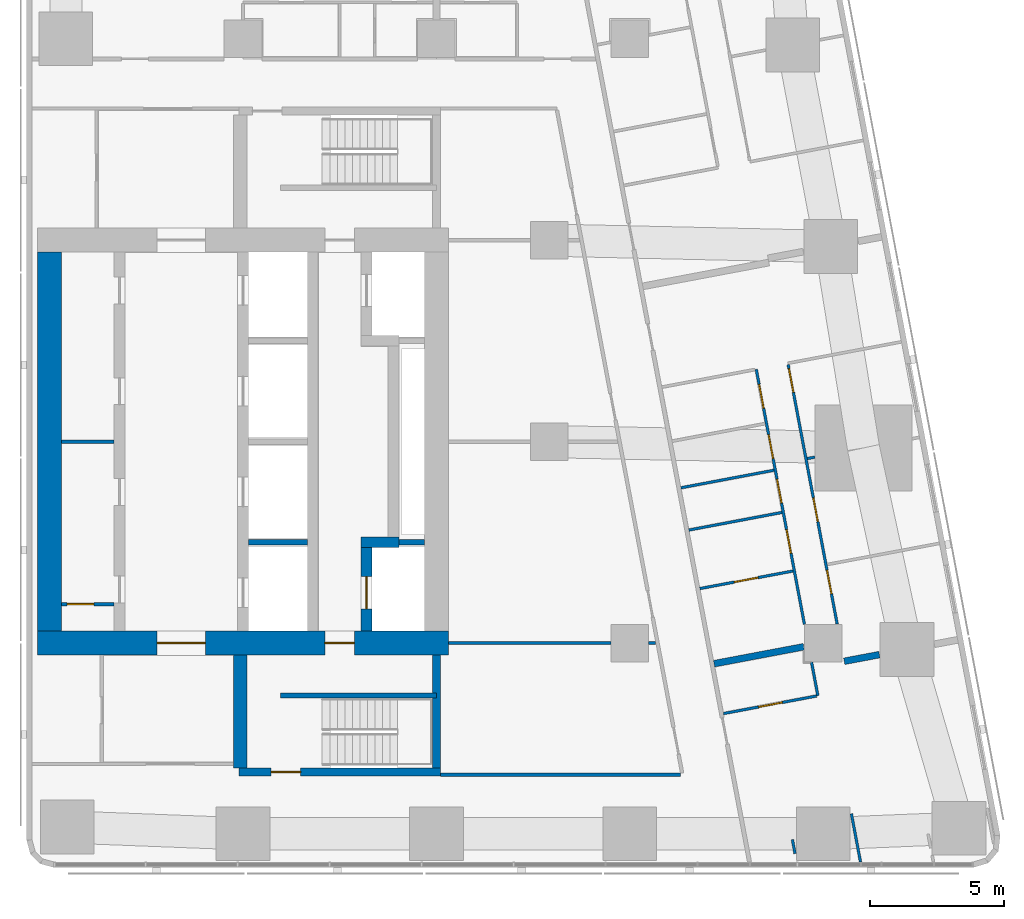
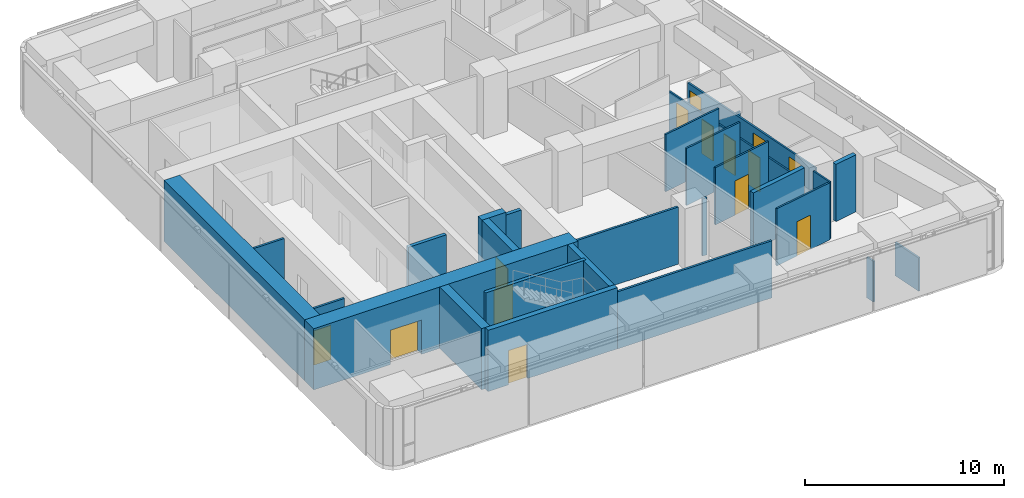
# One storey, part 5 of 11: 27 walls, 14 doors, 14 openings.
"""IFC4 building model written with IfcOpenShell, lengths in metres."""

from ifc_helpers import new_model, si_unit, direction, frame, frame_2d, origin, place, context, subcontext, project, spatial, rectangle, extrude, material, layer, layer_set, type_object, element, fill, save


model = new_model("IFC4")

# Units and contexts
model_context = context("Model", 3, precision=1e-05, world=origin(), true_north=direction((0.0, 1.0)))
body_context = subcontext(model_context, "Body", "Model", "MODEL_VIEW")
ifc_project = project(units=[si_unit("LENGTHUNIT", "METRE"), si_unit("AREAUNIT", "SQUARE_METRE"), si_unit("VOLUMEUNIT", "CUBIC_METRE"), si_unit("PLANEANGLEUNIT", "RADIAN"), si_unit("MASSUNIT", "GRAM", prefix="KILO")], contexts=[model_context])

# Site, building, storey
site_placement = place(None, origin())
site = spatial("IfcSite", under=ifc_project, at=site_placement, CompositionType="ELEMENT")
building_placement = place(site_placement, origin())
building = spatial("IfcBuilding", under=site, at=building_placement, Name="Sheger Commons Tower", CompositionType="ELEMENT")
storey_placement = place(building_placement, frame((0.0, 0.0, 277.85009765625)))
storey = spatial("IfcBuildingStorey", under=building, at=storey_placement, Name="L71", CompositionType="ELEMENT", Elevation=277.85009765625)

# Wall, opening, door
ifc_material_1 = material(Name="Concrete C50/60", Category="concrete")
ifc_layer_1 = layer(ifc_material_1, 0.39990234375)
ifc_layer_set_1 = layer_set([ifc_layer_1], Name="CORE INNER WALL 400")
wall_type_1 = type_object("IfcWallType", Name="CORE INNER WALL 400", PredefinedType="SHEAR", material=ifc_layer_set_1)
wall_1_placement = place(storey_placement, frame((26.199951171875, 15.449951171875, 0.0), z_axis=(0.0, 0.0, 1.0), x_axis=(0.0, 1.0, 0.0)))
wall_1 = element("IfcWall", 1, at=wall_1_placement, inside=storey, type_object=wall_type_1, Name="Core inner wall F L71", PredefinedType="SHEAR", context=body_context, shape_type="SweptSolid", body=[
    extrude(rectangle(XDim=3.10009765625, YDim=0.39990234375, at=frame_2d((1.550048828125, 0.0))), origin(), (0.0, 0.0, 1.0), 3.75),
])
opening_1_placement = place(wall_1_placement, frame((0.824951171875, 0.0, 0.0)))
opening_1 = element("IfcOpeningElement", 2, at=opening_1_placement, cuts=wall_1, Name="Opening LD2", PredefinedType="OPENING", context=body_context, shape_type="SweptSolid", body=[
    extrude(rectangle(XDim=1.199951171875, YDim=2.10009765625, at=frame_2d((0.60009765625, 1.050048828125))), frame((0.0, 0.2099609375, 0.0), z_axis=(0.0, -1.0, 0.0), x_axis=(1.0, 0.0, 0.0)), (0.0, 0.0, 1.0), 0.419921875),
])
ifc_material_2 = material(Name="Steel door set, fire rated", Category="steel")
door_type_1 = type_object("IfcDoorType", Name="FIREFIGHTING LIFT LANDING DOOR 1200x2100", OperationType="DOUBLE_DOOR_SLIDING", PredefinedType="DOOR", material=ifc_material_2)
door_1_placement = place(opening_1_placement, origin())
door_1 = element("IfcDoor", 3, at=door_1_placement, inside=storey, type_object=door_type_1, Name="Lift FL1 landing door", OperationType="DOUBLE_DOOR_SLIDING", OverallHeight=2.10009765625, OverallWidth=1.199951171875, PredefinedType="DOOR", context=body_context, shape_type="SweptSolid", body=[
    extrude(rectangle(XDim=1.199951171875, YDim=2.10009765625, at=frame_2d((0.60009765625, 1.050048828125))), frame((0.0, 0.02490234375, 0.0), z_axis=(0.0, -1.0, 0.0), x_axis=(1.0, 0.0, 0.0)), (0.0, 0.0, 1.0), 0.050048828125),
])
fill(opening_1, door_1)

# Wall
wall_2_placement = place(storey_placement, frame((26.0, 18.75, 0.0), z_axis=(0.0, 0.0, 1.0), x_axis=(1.0, 0.0, 0.0)))
element("IfcWall", 4, at=wall_2_placement, inside=storey, type_object=wall_type_1, Name="Core inner wall F south return L71", PredefinedType="SHEAR", context=body_context, shape_type="SweptSolid", body=[
    extrude(rectangle(XDim=1.39990234375, YDim=0.39990234375, at=frame_2d((0.699951171875, 0.0))), origin(), (0.0, 0.0, 1.0), 3.75),
])

# Wall, openings, doors
ifc_material_3 = material(Name="Concrete C50/60", Category="concrete")
ifc_layer_2 = layer(ifc_material_3, 0.89990234375)
ifc_layer_set_2 = layer_set([ifc_layer_2], Name="CORE WALL 900")
wall_type_2 = type_object("IfcWallType", Name="CORE WALL 900", PredefinedType="SHEAR", material=ifc_layer_set_2)
wall_3_placement = place(storey_placement, frame((13.949951171875, 15.0, 0.0), z_axis=(0.0, 0.0, 1.0), x_axis=(1.0, 0.0, 0.0)))
wall_3 = element("IfcWall", 5, at=wall_3_placement, inside=storey, type_object=wall_type_2, Name="Core wall south L71", PredefinedType="SHEAR", context=body_context, shape_type="SweptSolid", body=[
    extrude(rectangle(XDim=15.300048828125, YDim=0.89990234375, at=frame_2d((7.64990234375, 0.0))), origin(), (0.0, 0.0, 1.0), 3.75),
])
opening_2_placement = place(wall_3_placement, frame((4.449951171875, 0.0, 0.0)))
opening_2 = element("IfcOpeningElement", 6, at=opening_2_placement, cuts=wall_3, Name="Opening D6", PredefinedType="OPENING", context=body_context, shape_type="SweptSolid", body=[
    extrude(rectangle(XDim=1.800048828125, YDim=2.10009765625, at=frame_2d((0.89990234375, 1.050048828125))), frame((0.0, 0.4599609375, 0.0), z_axis=(0.0, -1.0, 0.0), x_axis=(1.0, 0.0, 0.0)), (0.0, 0.0, 1.0), 0.919921875),
])
opening_3_placement = place(wall_3_placement, frame((10.699951171875, 0.0, 0.0)))
opening_3 = element("IfcOpeningElement", 7, at=opening_3_placement, cuts=wall_3, Name="Opening D5", PredefinedType="OPENING", context=body_context, shape_type="SweptSolid", body=[
    extrude(rectangle(XDim=1.10009765625, YDim=2.10009765625, at=frame_2d((0.550048828125, 1.050048828125))), frame((0.0, 0.4599609375, 0.0), z_axis=(0.0, -1.0, 0.0), x_axis=(1.0, 0.0, 0.0)), (0.0, 0.0, 1.0), 0.919921875),
])
ifc_material_4 = material(Name="Steel door set, fire rated", Category="steel")
door_type_2 = type_object("IfcDoorType", Name="LOBBY DOUBLE DOOR 1800x2100", OperationType="DOUBLE_DOOR_SINGLE_SWING", PredefinedType="DOOR", material=ifc_material_4)
door_2_placement = place(opening_2_placement, origin())
door_2 = element("IfcDoor", 8, at=door_2_placement, inside=storey, type_object=door_type_2, Name="Lift lobby door", OperationType="DOUBLE_DOOR_SINGLE_SWING", OverallHeight=2.10009765625, OverallWidth=1.800048828125, PredefinedType="DOOR", context=body_context, shape_type="SweptSolid", body=[
    extrude(rectangle(XDim=1.800048828125, YDim=2.10009765625, at=frame_2d((0.89990234375, 1.050048828125))), frame((0.0, 0.02490234375, 0.0), z_axis=(0.0, -1.0, 0.0), x_axis=(1.0, 0.0, 0.0)), (0.0, 0.0, 1.0), 0.050048828125),
])
fill(opening_2, door_2)
ifc_material_5 = material(Name="Steel door set, fire rated", Category="steel")
door_type_3 = type_object("IfcDoorType", Name="STAIR DOOR 1100x2100", OperationType="NOTDEFINED", PredefinedType="DOOR", material=ifc_material_5)
door_3_placement = place(opening_3_placement, origin())
door_3 = element("IfcDoor", 9, at=door_3_placement, inside=storey, type_object=door_type_3, Name="Fire-fighting lobby door", OperationType="SINGLE_SWING_RIGHT", OverallHeight=2.10009765625, OverallWidth=1.10009765625, PredefinedType="DOOR", context=body_context, shape_type="SweptSolid", body=[
    extrude(rectangle(XDim=1.10009765625, YDim=2.10009765625, at=frame_2d((0.550048828125, 1.050048828125))), frame((0.0, 0.02490234375, 0.0), z_axis=(0.0, -1.0, 0.0), x_axis=(1.0, 0.0, 0.0)), (0.0, 0.0, 1.0), 0.050048828125),
])
fill(opening_3, door_3)

# Walls
wall_4_placement = place(storey_placement, frame((14.39990234375, 15.449951171875, 0.0), z_axis=(0.0, 0.0, 1.0), x_axis=(0.0, 1.0, 0.0)))
element("IfcWall", 10, at=wall_4_placement, inside=storey, type_object=wall_type_2, Name="Core wall west L71", PredefinedType="SHEAR", context=body_context, shape_type="SweptSolid", body=[
    extrude(rectangle(XDim=14.10009765625, YDim=0.89990234375, at=frame_2d((7.050048828125, 0.0))), origin(), (0.0, 0.0, 1.0), 3.75),
])
ifc_material_6 = material(Name="Dense concrete block masonry, plastered both sides (separating wall between flats)", Category="masonry")
ifc_layer_3 = layer(ifc_material_6, 0.25)
ifc_layer_set_3 = layer_set([ifc_layer_3], Name="DEMISING WALL 250")
wall_type_3 = type_object("IfcWallType", Name="DEMISING WALL 250", PredefinedType="SOLIDWALL", material=ifc_layer_set_3)
wall_5_placement = place(storey_placement, frame((45.2900390625, 14.569091796875, 0.0), z_axis=(0.0, 0.0, 1.0), x_axis=(-0.982676759201, -0.185327782391, 0.0)))
element("IfcWall", 11, at=wall_5_placement, inside=storey, type_object=wall_type_3, Name="Demising wall L71", PredefinedType="SOLIDWALL", context=body_context, shape_type="SweptSolid", body=[
    extrude(rectangle(XDim=1.333251953125, YDim=0.25, at=frame_2d((0.66650390625, 0.0))), origin(), (0.0, 0.0, 1.0), 3.5),
])
wall_6_placement = place(storey_placement, frame((42.47607421875, 14.863037109375, 0.0), z_axis=(0.0, 0.0, 1.0), x_axis=(-0.982603567712, -0.185715450942, 0.0)))
element("IfcWall", 12, at=wall_6_placement, inside=storey, type_object=wall_type_3, Name="Demising wall L71", PredefinedType="SOLIDWALL", context=body_context, shape_type="SweptSolid", body=[
    extrude(rectangle(XDim=3.398193359375, YDim=0.25, at=frame_2d((1.69921875, 0.0))), origin(), (0.0, 0.0, 1.0), 3.5),
])
ifc_material_7 = material(Name="Gypsum board on steel studs", Category="steel")
ifc_layer_4 = layer(ifc_material_7, 0.10009765625)
ifc_layer_set_4 = layer_set([ifc_layer_4], Name="PARTITION 100")
wall_type_4 = type_object("IfcWallType", Name="PARTITION 100", PredefinedType="PARTITIONING", material=ifc_layer_set_4)
wall_7_placement = place(storey_placement, frame((44.248046875, 8.64599609375, 0.0), z_axis=(0.0, 0.0, 1.0), x_axis=(0.185417594585, -0.982659816833, 0.0)))
element("IfcWall", 13, at=wall_7_placement, inside=storey, type_object=wall_type_4, Name="Partition L71", PredefinedType="PARTITIONING", context=body_context, shape_type="SweptSolid", body=[
    extrude(rectangle(XDim=1.82763671875, YDim=0.10009765625, at=frame_2d((0.913818359375, 0.0))), origin(), (0.0, 0.0, 1.0), 2.0498046875),
])
wall_8_placement = place(storey_placement, frame((42.15087890625, 7.159912109375, 0.0), z_axis=(0.0, 0.0, 1.0), x_axis=(-0.185366164644, 0.982669519729, 0.0)))
element("IfcWall", 14, at=wall_8_placement, inside=storey, type_object=wall_type_4, Name="Partition L71", PredefinedType="PARTITIONING", context=body_context, shape_type="SweptSolid", body=[
    extrude(rectangle(XDim=0.533447265625, YDim=0.10009765625, at=frame_2d((0.2666015625, 0.0))), origin(), (0.0, 0.0, 1.0), 2.5),
])

# Wall, openings, doors
wall_9_placement = place(storey_placement, frame((41.89404296875, 25.365966796875, 0.0), z_axis=(0.0, 0.0, 1.0), x_axis=(0.185612905165, -0.982622943675, 0.0)))
wall_9 = element("IfcWall", 15, at=wall_9_placement, inside=storey, type_object=wall_type_4, Name="Partition L71", PredefinedType="PARTITIONING", context=body_context, shape_type="SweptSolid", body=[
    extrude(rectangle(XDim=9.82666015625, YDim=0.10009765625, at=frame_2d((4.913330078125, 0.0))), origin(), (0.0, 0.0, 1.0), 2.5),
])
opening_4_placement = place(wall_9_placement, frame((0.15087890625, 0.0, 0.0)))
opening_4 = element("IfcOpeningElement", 16, at=opening_4_placement, cuts=wall_9, Name="Opening D2", PredefinedType="OPENING", context=body_context, shape_type="SweptSolid", body=[
    extrude(rectangle(XDim=0.89990234375, YDim=2.10009765625, at=frame_2d((0.449951171875, 1.050048828125))), frame((0.0, 0.06005859375, 0.0), z_axis=(0.0, -1.0, 0.0), x_axis=(1.0, 0.0, 0.0)), (0.0, 0.0, 1.0), 0.1201171875),
])
opening_5_placement = place(wall_9_placement, frame((5.050048828125, 0.0, 0.0)))
opening_5 = element("IfcOpeningElement", 17, at=opening_5_placement, cuts=wall_9, Name="Opening D2", PredefinedType="OPENING", context=body_context, shape_type="SweptSolid", body=[
    extrude(rectangle(XDim=0.89990234375, YDim=2.10009765625, at=frame_2d((0.449951171875, 1.050048828125))), frame((0.0, 0.06005859375, 0.0), z_axis=(0.0, -1.0, 0.0), x_axis=(1.0, 0.0, 0.0)), (0.0, 0.0, 1.0), 0.1201171875),
])
opening_6_placement = place(wall_9_placement, frame((7.782958984375, 0.0, 0.0)))
opening_6 = element("IfcOpeningElement", 18, at=opening_6_placement, cuts=wall_9, Name="Opening D2", PredefinedType="OPENING", context=body_context, shape_type="SweptSolid", body=[
    extrude(rectangle(XDim=0.89990234375, YDim=2.10009765625, at=frame_2d((0.449951171875, 1.050048828125))), frame((0.0, 0.06005859375, 0.0), z_axis=(0.0, -1.0, 0.0), x_axis=(1.0, 0.0, 0.0)), (0.0, 0.0, 1.0), 0.1201171875),
])
ifc_material_8 = material(Name="Timber door set", Category="wood")
door_type_4 = type_object("IfcDoorType", Name="INTERNAL DOOR 900x2100", OperationType="NOTDEFINED", PredefinedType="DOOR", material=ifc_material_8)
door_4_placement = place(opening_4_placement, origin())
door_4 = element("IfcDoor", 19, at=door_4_placement, inside=storey, type_object=door_type_4, Name="Main bedroom door", OperationType="SINGLE_SWING_LEFT", OverallHeight=2.10009765625, OverallWidth=0.89990234375, PredefinedType="DOOR", context=body_context, shape_type="SweptSolid", body=[
    extrude(rectangle(XDim=0.89990234375, YDim=2.10009765625, at=frame_2d((0.449951171875, 1.050048828125))), frame((0.0, 0.02490234375, 0.0), z_axis=(0.0, -1.0, 0.0), x_axis=(1.0, 0.0, 0.0)), (0.0, 0.0, 1.0), 0.050048828125),
])
fill(opening_4, door_4)
door_5_placement = place(opening_5_placement, origin())
door_5 = element("IfcDoor", 20, at=door_5_placement, inside=storey, type_object=door_type_4, Name="Bedroom 2 door", OperationType="SINGLE_SWING_LEFT", OverallHeight=2.10009765625, OverallWidth=0.89990234375, PredefinedType="DOOR", context=body_context, shape_type="SweptSolid", body=[
    extrude(rectangle(XDim=0.89990234375, YDim=2.10009765625, at=frame_2d((0.449951171875, 1.050048828125))), frame((0.0, 0.02490234375, 0.0), z_axis=(0.0, -1.0, 0.0), x_axis=(1.0, 0.0, 0.0)), (0.0, 0.0, 1.0), 0.050048828125),
])
fill(opening_5, door_5)
door_6_placement = place(opening_6_placement, origin())
door_6 = element("IfcDoor", 21, at=door_6_placement, inside=storey, type_object=door_type_4, Name="Bedroom 3 door", OperationType="SINGLE_SWING_LEFT", OverallHeight=2.10009765625, OverallWidth=0.89990234375, PredefinedType="DOOR", context=body_context, shape_type="SweptSolid", body=[
    extrude(rectangle(XDim=0.89990234375, YDim=2.10009765625, at=frame_2d((0.449951171875, 1.050048828125))), frame((0.0, 0.02490234375, 0.0), z_axis=(0.0, -1.0, 0.0), x_axis=(1.0, 0.0, 0.0)), (0.0, 0.0, 1.0), 0.050048828125),
])
fill(opening_6, door_6)

wall_10_placement = place(storey_placement, frame((40.7060546875, 25.19189453125, 0.0), z_axis=(0.0, 0.0, 1.0), x_axis=(0.185629824463, -0.982619747547, 0.0)))
wall_10 = element("IfcWall", 22, at=wall_10_placement, inside=storey, type_object=wall_type_4, Name="Partition L71", PredefinedType="PARTITIONING", context=body_context, shape_type="SweptSolid", body=[
    extrude(rectangle(XDim=9.658935546875, YDim=0.10009765625, at=frame_2d((4.82958984375, 0.0))), origin(), (0.0, 0.0, 1.0), 2.5),
])
opening_7_placement = place(wall_10_placement, frame((0.574951171875, 0.0, 0.0)))
opening_7 = element("IfcOpeningElement", 23, at=opening_7_placement, cuts=wall_10, Name="Opening D2", PredefinedType="OPENING", context=body_context, shape_type="SweptSolid", body=[
    extrude(rectangle(XDim=0.89990234375, YDim=2.10009765625, at=frame_2d((0.449951171875, 1.050048828125))), frame((0.0, 0.06005859375, 0.0), z_axis=(0.0, -1.0, 0.0), x_axis=(1.0, 0.0, 0.0)), (0.0, 0.0, 1.0), 0.1201171875),
])
opening_8_placement = place(wall_10_placement, frame((4.166015625, 0.0, 0.0)))
opening_8 = element("IfcOpeningElement", 24, at=opening_8_placement, cuts=wall_10, Name="Opening D2", PredefinedType="OPENING", context=body_context, shape_type="SweptSolid", body=[
    extrude(rectangle(XDim=0.89990234375, YDim=2.10009765625, at=frame_2d((0.449951171875, 1.050048828125))), frame((0.0, 0.06005859375, 0.0), z_axis=(0.0, -1.0, 0.0), x_axis=(1.0, 0.0, 0.0)), (0.0, 0.0, 1.0), 0.1201171875),
])
opening_9_placement = place(wall_10_placement, frame((2.48291015625, 0.0, 0.0)))
opening_9 = element("IfcOpeningElement", 25, at=opening_9_placement, cuts=wall_10, Name="Opening D2", PredefinedType="OPENING", context=body_context, shape_type="SweptSolid", body=[
    extrude(rectangle(XDim=0.89990234375, YDim=2.10009765625, at=frame_2d((0.449951171875, 1.050048828125))), frame((0.0, 0.06005859375, 0.0), z_axis=(0.0, -1.0, 0.0), x_axis=(1.0, 0.0, 0.0)), (0.0, 0.0, 1.0), 0.1201171875),
])
opening_10_placement = place(wall_10_placement, frame((6.073974609375, 0.0, 0.0)))
opening_10 = element("IfcOpeningElement", 26, at=opening_10_placement, cuts=wall_10, Name="Opening D2", PredefinedType="OPENING", context=body_context, shape_type="SweptSolid", body=[
    extrude(rectangle(XDim=0.89990234375, YDim=2.10009765625, at=frame_2d((0.449951171875, 1.050048828125))), frame((0.0, 0.06005859375, 0.0), z_axis=(0.0, -1.0, 0.0), x_axis=(1.0, 0.0, 0.0)), (0.0, 0.0, 1.0), 0.1201171875),
])
door_7_placement = place(opening_7_placement, origin())
door_7 = element("IfcDoor", 27, at=door_7_placement, inside=storey, type_object=door_type_4, Name="Bathroom door", OperationType="SINGLE_SWING_RIGHT", OverallHeight=2.10009765625, OverallWidth=0.89990234375, PredefinedType="DOOR", context=body_context, shape_type="SweptSolid", body=[
    extrude(rectangle(XDim=0.89990234375, YDim=2.10009765625, at=frame_2d((0.449951171875, 1.050048828125))), frame((0.0, 0.02490234375, 0.0), z_axis=(0.0, -1.0, 0.0), x_axis=(1.0, 0.0, 0.0)), (0.0, 0.0, 1.0), 0.050048828125),
])
fill(opening_7, door_7)
door_8_placement = place(opening_8_placement, origin())
door_8 = element("IfcDoor", 28, at=door_8_placement, inside=storey, type_object=door_type_4, Name="Shower room door", OperationType="SINGLE_SWING_RIGHT", OverallHeight=2.10009765625, OverallWidth=0.89990234375, PredefinedType="DOOR", context=body_context, shape_type="SweptSolid", body=[
    extrude(rectangle(XDim=0.89990234375, YDim=2.10009765625, at=frame_2d((0.449951171875, 1.050048828125))), frame((0.0, 0.02490234375, 0.0), z_axis=(0.0, -1.0, 0.0), x_axis=(1.0, 0.0, 0.0)), (0.0, 0.0, 1.0), 0.050048828125),
])
fill(opening_8, door_8)
door_9_placement = place(opening_9_placement, origin())
door_9 = element("IfcDoor", 29, at=door_9_placement, inside=storey, type_object=door_type_4, Name="Store door", OperationType="SINGLE_SWING_RIGHT", OverallHeight=2.10009765625, OverallWidth=0.89990234375, PredefinedType="DOOR", context=body_context, shape_type="SweptSolid", body=[
    extrude(rectangle(XDim=0.89990234375, YDim=2.10009765625, at=frame_2d((0.449951171875, 1.050048828125))), frame((0.0, 0.02490234375, 0.0), z_axis=(0.0, -1.0, 0.0), x_axis=(1.0, 0.0, 0.0)), (0.0, 0.0, 1.0), 0.050048828125),
])
fill(opening_9, door_9)
door_10_placement = place(opening_10_placement, origin())
door_10 = element("IfcDoor", 30, at=door_10_placement, inside=storey, type_object=door_type_4, Name="Store door", OperationType="SINGLE_SWING_LEFT", OverallHeight=2.10009765625, OverallWidth=0.89990234375, PredefinedType="DOOR", context=body_context, shape_type="SweptSolid", body=[
    extrude(rectangle(XDim=0.89990234375, YDim=2.10009765625, at=frame_2d((0.449951171875, 1.050048828125))), frame((0.0, 0.02490234375, 0.0), z_axis=(0.0, -1.0, 0.0), x_axis=(1.0, 0.0, 0.0)), (0.0, 0.0, 1.0), 0.050048828125),
])
fill(opening_10, door_10)

# Walls
wall_11_placement = place(storey_placement, frame((42.886962890625, 21.9208984375, 0.0), z_axis=(0.0, 0.0, 1.0), x_axis=(-0.982688058078, -0.185267861514, 0.0)))
element("IfcWall", 31, at=wall_11_placement, inside=storey, type_object=wall_type_4, Name="Partition L71", PredefinedType="PARTITIONING", context=body_context, shape_type="SweptSolid", body=[
    extrude(rectangle(XDim=0.285888671875, YDim=0.10009765625, at=frame_2d((0.14306640625, 0.0))), origin(), (0.0, 0.0, 1.0), 2.5),
])
wall_12_placement = place(storey_placement, frame((41.364990234375, 21.43310546875, 0.0), z_axis=(0.0, 0.0, 1.0), x_axis=(-0.982638553676, -0.185530247748, 0.0)))
element("IfcWall", 32, at=wall_12_placement, inside=storey, type_object=wall_type_4, Name="Partition L71", PredefinedType="PARTITIONING", context=body_context, shape_type="SweptSolid", body=[
    extrude(rectangle(XDim=3.525390625, YDim=0.10009765625, at=frame_2d((1.7626953125, 0.0))), origin(), (0.0, 0.0, 1.0), 3.5),
])

# Wall, opening, door
wall_13_placement = place(storey_placement, frame((42.072998046875, 17.681884765625, 0.0), z_axis=(0.0, 0.0, 1.0), x_axis=(-0.98265117712, -0.185463376723, 0.0)))
wall_13 = element("IfcWall", 33, at=wall_13_placement, inside=storey, type_object=wall_type_4, Name="Partition L71", PredefinedType="PARTITIONING", context=body_context, shape_type="SweptSolid", body=[
    extrude(rectangle(XDim=3.525390625, YDim=0.10009765625, at=frame_2d((1.7626953125, 0.0))), origin(), (0.0, 0.0, 1.0), 3.5),
])
opening_11_placement = place(wall_13_placement, frame((1.324951171875, 0.0, 0.0)))
opening_11 = element("IfcOpeningElement", 34, at=opening_11_placement, cuts=wall_13, Name="Opening D2", PredefinedType="OPENING", context=body_context, shape_type="SweptSolid", body=[
    extrude(rectangle(XDim=0.89990234375, YDim=2.10009765625, at=frame_2d((0.449951171875, 1.050048828125))), frame((0.0, 0.06005859375, 0.0), z_axis=(0.0, -1.0, 0.0), x_axis=(1.0, 0.0, 0.0)), (0.0, 0.0, 1.0), 0.1201171875),
])
door_11_placement = place(opening_11_placement, origin())
door_11 = element("IfcDoor", 35, at=door_11_placement, inside=storey, type_object=door_type_4, Name="Store door", OperationType="SINGLE_SWING_RIGHT", OverallHeight=2.10009765625, OverallWidth=0.89990234375, PredefinedType="DOOR", context=body_context, shape_type="SweptSolid", body=[
    extrude(rectangle(XDim=0.89990234375, YDim=2.10009765625, at=frame_2d((0.449951171875, 1.050048828125))), frame((0.0, 0.02490234375, 0.0), z_axis=(0.0, -1.0, 0.0), x_axis=(1.0, 0.0, 0.0)), (0.0, 0.0, 1.0), 0.050048828125),
])
fill(opening_11, door_11)

# Walls
wall_14_placement = place(storey_placement, frame((41.662109375, 19.861083984375, 0.0), z_axis=(0.0, 0.0, 1.0), x_axis=(-0.982588017646, -0.185797706064, 0.0)))
element("IfcWall", 36, at=wall_14_placement, inside=storey, type_object=wall_type_4, Name="Partition L71", PredefinedType="PARTITIONING", context=body_context, shape_type="SweptSolid", body=[
    extrude(rectangle(XDim=3.525390625, YDim=0.10009765625, at=frame_2d((1.7626953125, 0.0))), origin(), (0.0, 0.0, 1.0), 3.5),
])
wall_15_placement = place(storey_placement, frame((42.764892578125, 14.2900390625, 0.0), z_axis=(0.0, 0.0, 1.0), x_axis=(0.185446293138, -0.982654401283, 0.0)))
element("IfcWall", 37, at=wall_15_placement, inside=storey, type_object=wall_type_4, Name="Partition L71", PredefinedType="PARTITIONING", context=body_context, shape_type="SweptSolid", body=[
    extrude(rectangle(XDim=1.27294921875, YDim=0.10009765625, at=frame_2d((0.636474609375, 0.0))), origin(), (0.0, 0.0, 1.0), 3.5),
])

# Wall, opening, door
wall_16_placement = place(storey_placement, frame((42.951904296875, 13.030029296875, 0.0), z_axis=(0.0, 0.0, 1.0), x_axis=(-0.982585626838, -0.185810349366, 0.0)))
wall_16 = element("IfcWall", 38, at=wall_16_placement, inside=storey, type_object=wall_type_4, Name="Partition L71", PredefinedType="PARTITIONING", context=body_context, shape_type="SweptSolid", body=[
    extrude(rectangle(XDim=3.525146484375, YDim=0.10009765625, at=frame_2d((1.7626953125, 0.0))), origin(), (0.0, 0.0, 1.0), 3.5),
])
opening_12_placement = place(wall_16_placement, frame((1.299072265625, 0.0, 0.0)))
opening_12 = element("IfcOpeningElement", 39, at=opening_12_placement, cuts=wall_16, Name="Opening D2", PredefinedType="OPENING", context=body_context, shape_type="SweptSolid", body=[
    extrude(rectangle(XDim=0.89990234375, YDim=2.10009765625, at=frame_2d((0.449951171875, 1.050048828125))), frame((0.0, 0.06005859375, 0.0), z_axis=(0.0, -1.0, 0.0), x_axis=(1.0, 0.0, 0.0)), (0.0, 0.0, 1.0), 0.1201171875),
])
door_12_placement = place(opening_12_placement, origin())
door_12 = element("IfcDoor", 40, at=door_12_placement, inside=storey, type_object=door_type_4, Name="Shower room door", OperationType="SINGLE_SWING_RIGHT", OverallHeight=2.10009765625, OverallWidth=0.89990234375, PredefinedType="DOOR", context=body_context, shape_type="SweptSolid", body=[
    extrude(rectangle(XDim=0.89990234375, YDim=2.10009765625, at=frame_2d((0.449951171875, 1.050048828125))), frame((0.0, 0.02490234375, 0.0), z_axis=(0.0, -1.0, 0.0), x_axis=(1.0, 0.0, 0.0)), (0.0, 0.0, 1.0), 0.050048828125),
])
fill(opening_12, door_12)

# Walls
ifc_material_9 = material(Name="Gypsum board on steel studs, two layers each side, fire rated", Category="steel")
ifc_layer_5 = layer(ifc_material_9, 0.125)
ifc_layer_set_5 = layer_set([ifc_layer_5], Name="SERVICE WALL 125")
wall_type_5 = type_object("IfcWallType", Name="SERVICE WALL 125", PredefinedType="PARTITIONING", material=ifc_layer_set_5)
wall_17_placement = place(storey_placement, frame((28.949951171875, 10.10009765625, 0.0), z_axis=(0.0, 0.0, 1.0), x_axis=(1.0, 0.0, 0.0)))
element("IfcWall", 41, at=wall_17_placement, inside=storey, type_object=wall_type_5, Name="Service room wall L71", PredefinedType="PARTITIONING", context=body_context, shape_type="SweptSolid", body=[
    extrude(rectangle(XDim=8.93310546875, YDim=0.125, at=frame_2d((4.466552734375, 0.0))), origin(), (0.0, 0.0, 1.0), 3.5),
])
wall_18_placement = place(storey_placement, frame((29.25, 15.0, 0.0), z_axis=(0.0, 0.0, 1.0), x_axis=(1.0, 0.0, 0.0)))
element("IfcWall", 42, at=wall_18_placement, inside=storey, type_object=wall_type_5, Name="Service room wall L71", PredefinedType="PARTITIONING", context=body_context, shape_type="SweptSolid", body=[
    extrude(rectangle(XDim=6.049072265625, YDim=0.125, at=frame_2d((3.0244140625, 0.0))), origin(), (0.0, 0.0, 1.0), 3.5),
])
wall_19_placement = place(storey_placement, frame((36.700927734375, 15.0, 0.0), z_axis=(0.0, 0.0, 1.0), x_axis=(1.0, 0.0, 0.0)))
element("IfcWall", 43, at=wall_19_placement, inside=storey, type_object=wall_type_5, Name="Service room wall L71", PredefinedType="PARTITIONING", context=body_context, shape_type="SweptSolid", body=[
    extrude(rectangle(XDim=0.257080078125, YDim=0.125, at=frame_2d((0.12841796875, 0.0))), origin(), (0.0, 0.0, 1.0), 3.5),
])

# Wall, opening, door
wall_20_placement = place(storey_placement, frame((14.85009765625, 16.449951171875, 0.0), z_axis=(0.0, 0.0, 1.0), x_axis=(1.0, 0.0, 0.0)))
wall_20 = element("IfcWall", 44, at=wall_20_placement, inside=storey, type_object=wall_type_5, Name="Service room wall L71", PredefinedType="PARTITIONING", context=body_context, shape_type="SweptSolid", body=[
    extrude(rectangle(XDim=1.949951171875, YDim=0.125, at=frame_2d((0.97509765625, 0.0))), origin(), (0.0, 0.0, 1.0), 3.5),
])
opening_13_placement = place(wall_20_placement, frame((0.199951171875, 0.0, 0.0)))
opening_13 = element("IfcOpeningElement", 45, at=opening_13_placement, cuts=wall_20, Name="Opening D4", PredefinedType="OPENING", context=body_context, shape_type="SweptSolid", body=[
    extrude(rectangle(XDim=1.0, YDim=2.10009765625, at=frame_2d((0.5, 1.050048828125))), frame((0.0, 0.072509765625, 0.0), z_axis=(0.0, -1.0, 0.0), x_axis=(1.0, 0.0, 0.0)), (0.0, 0.0, 1.0), 0.14501953125),
])
ifc_material_10 = material(Name="Steel door set, fire rated", Category="steel")
door_type_5 = type_object("IfcDoorType", Name="SERVICE DOOR 1000x2100", OperationType="NOTDEFINED", PredefinedType="DOOR", material=ifc_material_10)
door_13_placement = place(opening_13_placement, origin())
door_13 = element("IfcDoor", 46, at=door_13_placement, inside=storey, type_object=door_type_5, Name="Electrical riser door", OperationType="SINGLE_SWING_RIGHT", OverallHeight=2.10009765625, OverallWidth=1.0, PredefinedType="DOOR", context=body_context, shape_type="SweptSolid", body=[
    extrude(rectangle(XDim=1.0, YDim=2.10009765625, at=frame_2d((0.5, 1.050048828125))), frame((0.0, 0.02490234375, 0.0), z_axis=(0.0, -1.0, 0.0), x_axis=(1.0, 0.0, 0.0)), (0.0, 0.0, 1.0), 0.050048828125),
])
fill(opening_13, door_13)

# Walls
wall_21_placement = place(storey_placement, frame((14.85009765625, 22.5, 0.0), z_axis=(0.0, 0.0, 1.0), x_axis=(1.0, 0.0, 0.0)))
element("IfcWall", 47, at=wall_21_placement, inside=storey, type_object=wall_type_5, Name="Service room wall L71", PredefinedType="PARTITIONING", context=body_context, shape_type="SweptSolid", body=[
    extrude(rectangle(XDim=1.949951171875, YDim=0.125, at=frame_2d((0.97509765625, 0.0))), origin(), (0.0, 0.0, 1.0), 3.5),
])
ifc_material_11 = material(Name="Hollow concrete block masonry", Category="masonry")
ifc_layer_6 = layer(ifc_material_11, 0.199951171875)
ifc_layer_set_6 = layer_set([ifc_layer_6], Name="SHAFT WALL 200")
wall_type_6 = type_object("IfcWallType", Name="SHAFT WALL 200", PredefinedType="SOLIDWALL", material=ifc_layer_set_6)
wall_22_placement = place(storey_placement, frame((21.800048828125, 18.75, 0.0), z_axis=(0.0, 0.0, 1.0), x_axis=(1.0, 0.0, 0.0)))
element("IfcWall", 48, at=wall_22_placement, inside=storey, type_object=wall_type_6, Name="Lift shaft wall L71", PredefinedType="SOLIDWALL", context=body_context, shape_type="SweptSolid", body=[
    extrude(rectangle(XDim=2.199951171875, YDim=0.199951171875, at=frame_2d((1.10009765625, 0.0))), origin(), (0.0, 0.0, 1.0), 3.5),
])
wall_23_placement = place(storey_placement, frame((27.39990234375, 18.75, 0.0), z_axis=(0.0, 0.0, 1.0), x_axis=(1.0, 0.0, 0.0)))
element("IfcWall", 49, at=wall_23_placement, inside=storey, type_object=wall_type_6, Name="Lift shaft wall L71", PredefinedType="SOLIDWALL", context=body_context, shape_type="SweptSolid", body=[
    extrude(rectangle(XDim=0.9501953125, YDim=0.199951171875, at=frame_2d((0.47509765625, 0.0))), origin(), (0.0, 0.0, 1.0), 3.5),
])

# Wall, opening, door
ifc_material_12 = material(Name="Concrete C50/60", Category="concrete")
ifc_layer_7 = layer(ifc_material_12, 0.300048828125)
ifc_layer_set_7 = layer_set([ifc_layer_7], Name="STAIR CORE WALL 300")
wall_type_7 = type_object("IfcWallType", Name="STAIR CORE WALL 300", PredefinedType="SHEAR", material=ifc_layer_set_7)
wall_24_placement = place(storey_placement, frame((21.449951171875, 10.199951171875, 0.0), z_axis=(0.0, 0.0, 1.0), x_axis=(1.0, 0.0, 0.0)))
wall_24 = element("IfcWall", 50, at=wall_24_placement, inside=storey, type_object=wall_type_7, Name="STW-L71-S1S", PredefinedType="SHEAR", context=body_context, shape_type="SweptSolid", body=[
    extrude(rectangle(XDim=7.5, YDim=0.300048828125, at=frame_2d((3.75, 0.0))), origin(), (0.0, 0.0, 1.0), 3.75),
])
opening_14_placement = place(wall_24_placement, frame((1.199951171875, 0.0, 0.0)))
opening_14 = element("IfcOpeningElement", 51, at=opening_14_placement, cuts=wall_24, Name="Opening D5", PredefinedType="OPENING", context=body_context, shape_type="SweptSolid", body=[
    extrude(rectangle(XDim=1.10009765625, YDim=2.10009765625, at=frame_2d((0.550048828125, 1.050048828125))), frame((0.0, 0.159912109375, 0.0), z_axis=(0.0, -1.0, 0.0), x_axis=(1.0, 0.0, 0.0)), (0.0, 0.0, 1.0), 0.320068359375),
])
door_14_placement = place(opening_14_placement, origin())
door_14 = element("IfcDoor", 52, at=door_14_placement, inside=storey, type_object=door_type_3, Name="Stair S1 door", OperationType="SINGLE_SWING_LEFT", OverallHeight=2.10009765625, OverallWidth=1.10009765625, PredefinedType="DOOR", context=body_context, shape_type="SweptSolid", body=[
    extrude(rectangle(XDim=1.10009765625, YDim=2.10009765625, at=frame_2d((0.550048828125, 1.050048828125))), frame((0.0, 0.02490234375, 0.0), z_axis=(0.0, -1.0, 0.0), x_axis=(1.0, 0.0, 0.0)), (0.0, 0.0, 1.0), 0.050048828125),
])
fill(opening_14, door_14)

# Walls
wall_25_placement = place(storey_placement, frame((28.800048828125, 10.35009765625, 0.0), z_axis=(0.0, 0.0, 1.0), x_axis=(0.0, 1.0, 0.0)))
element("IfcWall", 53, at=wall_25_placement, inside=storey, type_object=wall_type_7, Name="STW-L71-S1E", PredefinedType="SHEAR", context=body_context, shape_type="SweptSolid", body=[
    extrude(rectangle(XDim=4.199951171875, YDim=0.300048828125, at=frame_2d((2.10009765625, 0.0))), origin(), (0.0, 0.0, 1.0), 3.75),
])
ifc_material_13 = material(Name="Concrete C50/60", Category="concrete")
ifc_layer_8 = layer(ifc_material_13, 0.5)
ifc_layer_set_8 = layer_set([ifc_layer_8], Name="STAIR CORE WALL 500")
wall_type_8 = type_object("IfcWallType", Name="STAIR CORE WALL 500", PredefinedType="SHEAR", material=ifc_layer_set_8)
wall_26_placement = place(storey_placement, frame((21.5, 10.35009765625, 0.0), z_axis=(0.0, 0.0, 1.0), x_axis=(0.0, 1.0, 0.0)))
element("IfcWall", 54, at=wall_26_placement, inside=storey, type_object=wall_type_8, Name="STW-L71-S1W", PredefinedType="SHEAR", context=body_context, shape_type="SweptSolid", body=[
    extrude(rectangle(XDim=4.199951171875, YDim=0.5, at=frame_2d((2.10009765625, 0.0))), origin(), (0.0, 0.0, 1.0), 3.75),
])
ifc_material_14 = material(Name="Concrete C50/60", Category="concrete")
ifc_layer_9 = layer(ifc_material_14, 0.199951171875)
ifc_layer_set_9 = layer_set([ifc_layer_9], Name="STAIR SPINE WALL 200")
wall_type_9 = type_object("IfcWallType", Name="STAIR SPINE WALL 200", PredefinedType="SHEAR", material=ifc_layer_set_9)
wall_27_placement = place(storey_placement, frame((23.0, 13.050048828125, 0.0), z_axis=(0.0, 0.0, 1.0), x_axis=(1.0, 0.0, 0.0)))
element("IfcWall", 55, at=wall_27_placement, inside=storey, type_object=wall_type_9, Name="Stair spine wall L71", PredefinedType="SHEAR", context=body_context, shape_type="SweptSolid", body=[
    extrude(rectangle(XDim=5.800048828125, YDim=0.199951171875, at=frame_2d((2.89990234375, 0.0))), origin(), (0.0, 0.0, 1.0), 3.75),
])

save(model, "model.ifc")
